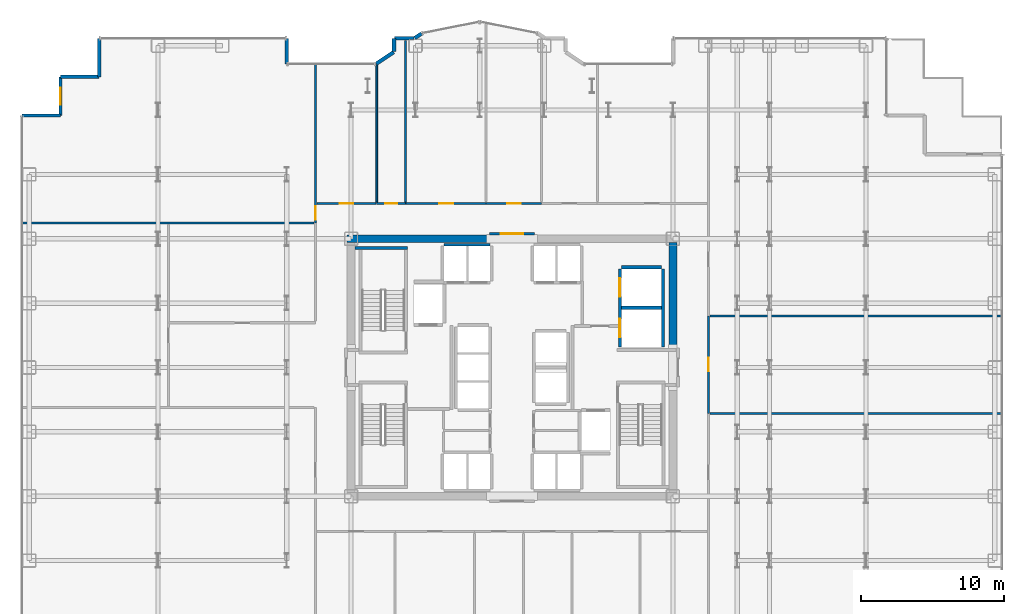
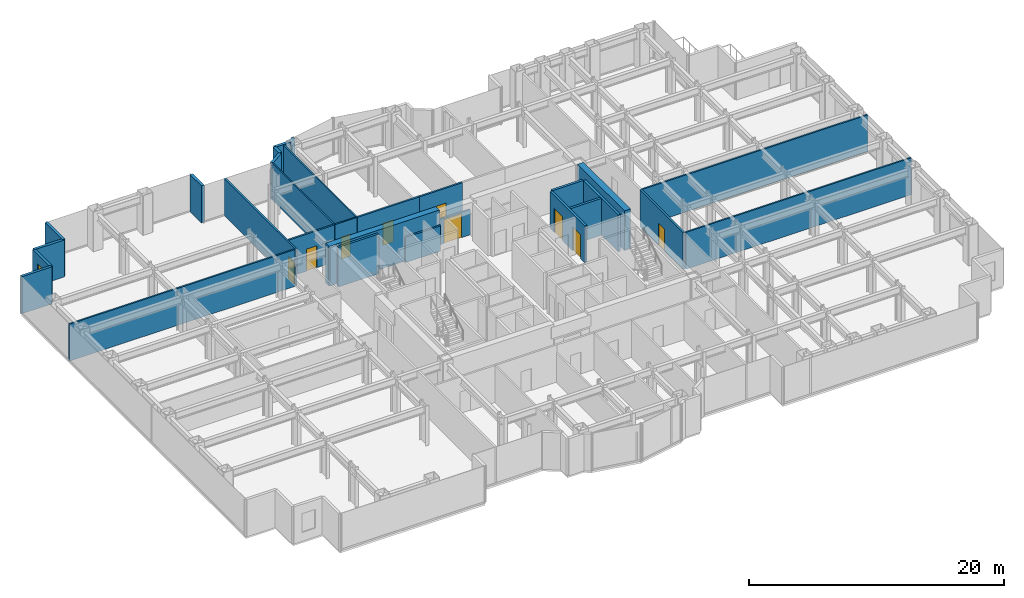
# One storey, part 23 of 26: 29 walls, 9 doors, 1 window, 10 openings.
"""IFC4 building model written with IfcOpenShell, lengths in metres."""

import ifcopenshell
import ifcopenshell.guid

model = None  # the IFC model being written
_history = None  # IfcOwnerHistory: only IFC2X3 demands one
_inside = {}  # id of a spatial element -> (the spatial element, [elements in it])
_under = {}  # id of a project, library or spatial element -> (it, [spatial elements below it])
_declared = {}  # id of a project -> (the project, [libraries it declares])
_typed = {}  # id of a type object -> (the type object, [elements of that type])
_made_of = {}  # id of a material, layer set ... -> (it, [elements and type objects made of it])


def new_model(schema):
    """Start an empty IFC model of exactly this schema.

    Asked for "IFC4X3", IfcOpenShell would pick the latest addendum, in which some entities
    have other attributes; the version numbers below select the first issue.
    IFC2X3 requires an IfcOwnerHistory on every rooted entity: one is made here for all.
    """
    global model, _history
    if schema == "IFC4X3":
        model = ifcopenshell.file(schema_version=(4, 3, 0, 0))
    else:
        model = ifcopenshell.file(schema=schema)
    _inside.clear()
    _under.clear()
    _declared.clear()
    _typed.clear()
    _made_of.clear()
    _history = None
    if model.schema == "IFC2X3":
        org = make("IfcOrganization", Name="unknown")
        user = make(
            "IfcPersonAndOrganization",
            ThePerson=make("IfcPerson", FamilyName="unknown"),
            TheOrganization=org,
        )
        app = make(
            "IfcApplication",
            ApplicationDeveloper=org,
            Version="unknown",
            ApplicationFullName="unknown",
            ApplicationIdentifier="unknown",
        )
        _history = make(
            "IfcOwnerHistory",
            OwningUser=user,
            OwningApplication=app,
            ChangeAction="ADDED",
            CreationDate=0,
        )
    return model


def make(cls, **values):
    """One entity of the class cls with the attributes given. An attribute that is None is left unset."""
    return model.create_entity(
        cls, **{name: value for name, value in values.items() if value is not None}
    )


def rooted(cls, **values):
    """An entity with a GlobalId (a new one), such as an element, a storey or a relation."""
    return make(cls, GlobalId=ifcopenshell.guid.new(), OwnerHistory=_history, **values)


def si_unit(unit_type, name, prefix=None):
    """IfcSIUnit, for example si_unit("LENGTHUNIT", "METRE", prefix="MILLI")."""
    return make("IfcSIUnit", UnitType=unit_type, Prefix=prefix, Name=name)


def assignment(units):
    """IfcUnitAssignment: the units of a project."""
    return None if units is None else make("IfcUnitAssignment", Units=units)


def point(xyz):
    """IfcCartesianPoint."""
    return None if xyz is None else make("IfcCartesianPoint", Coordinates=xyz)


def direction(xyz):
    """IfcDirection."""
    return None if xyz is None else make("IfcDirection", DirectionRatios=xyz)


def frame(location, z_axis=None, x_axis=None):
    """IfcAxis2Placement3D, a coordinate frame: its origin and axes. An axis left out is left unset."""
    return make(
        "IfcAxis2Placement3D",
        Location=point(location),
        Axis=direction(z_axis),
        RefDirection=direction(x_axis),
    )


def frame_2d(location, x_axis=None):
    """IfcAxis2Placement2D, a coordinate frame in the plane: its origin and x axis."""
    return make(
        "IfcAxis2Placement2D", Location=point(location), RefDirection=direction(x_axis)
    )


def origin():
    """The frame at (0, 0, 0) with its axes left unset."""
    return frame((0.0, 0.0, 0.0))


def place(relative_to, where):
    """IfcLocalPlacement: puts the frame where relative to a parent placement (None: the world)."""
    return make(
        "IfcLocalPlacement", PlacementRelTo=relative_to, RelativePlacement=where
    )


def context(
    kind, dimensions, precision=None, world=None, true_north=None, identifier=None
):
    """IfcGeometricRepresentationContext, for example the 3D "Model" context."""
    return make(
        "IfcGeometricRepresentationContext",
        ContextIdentifier=identifier,
        ContextType=kind,
        CoordinateSpaceDimension=dimensions,
        Precision=precision,
        WorldCoordinateSystem=world,
        TrueNorth=true_north,
    )


def subcontext(parent, identifier, kind, view, scale=None):
    """IfcGeometricRepresentationSubContext, for example "Body" below "Model"."""
    return make(
        "IfcGeometricRepresentationSubContext",
        ContextIdentifier=identifier,
        ContextType=kind,
        ParentContext=parent,
        TargetScale=scale,
        TargetView=view,
    )


def project(units=None, contexts=None):
    """IfcProject with its units and contexts."""
    return rooted(
        "IfcProject",
        Name="project",
        RepresentationContexts=contexts,
        UnitsInContext=assignment(units),
    )


def spatial(cls, under=None, at=None, **own):
    """A site, building, storey or space (cls), placed at a placement, below another one or the project."""
    s = rooted(cls, ObjectPlacement=at, **own)
    if under is not None:
        _under.setdefault(under.id(), (under, []))[1].append(s)
    return s


def profile(cls, at=None, kind="AREA", **sizes):
    """A parametric profile (cls). Its sizes go by their IFC names, for example OverallWidth=200.0."""
    return make(cls, ProfileType=kind, Position=at, **sizes)


def rectangle(**sizes):
    """IfcRectangleProfileDef."""
    return profile("IfcRectangleProfileDef", **sizes)


def extrude(swept, where, along, depth):
    """IfcExtrudedAreaSolid: the profile swept, set in the frame where, extruded along a direction by depth."""
    return make(
        "IfcExtrudedAreaSolid",
        SweptArea=swept,
        Position=where,
        ExtrudedDirection=direction(along),
        Depth=depth,
    )


def shape(context_of_items, identifier, shape_type, items):
    """IfcShapeRepresentation: the items that make up one representation, for example the "Body"."""
    return make(
        "IfcShapeRepresentation",
        ContextOfItems=context_of_items,
        RepresentationIdentifier=identifier,
        RepresentationType=shape_type,
        Items=items,
    )


def source(mapping_origin, context_of_items, identifier, shape_type, items):
    """IfcRepresentationMap: a shape defined once, which mapped items show again and again."""
    return make(
        "IfcRepresentationMap",
        MappingOrigin=mapping_origin,
        MappedRepresentation=shape(context_of_items, identifier, shape_type, items),
    )


def transform(
    local_origin,
    x_axis=None,
    y_axis=None,
    z_axis=None,
    scale=None,
    scale2=None,
    scale3=None,
    uniform=True,
):
    """IfcCartesianTransformationOperator3D, or its non-uniform kind. x_axis, y_axis, z_axis: its Axis1, 2, 3."""
    if uniform:
        return make(
            "IfcCartesianTransformationOperator3D",
            Axis1=direction(x_axis),
            Axis2=direction(y_axis),
            LocalOrigin=point(local_origin),
            Scale=scale,
            Axis3=direction(z_axis),
        )
    return make(
        "IfcCartesianTransformationOperator3DnonUniform",
        Axis1=direction(x_axis),
        Axis2=direction(y_axis),
        LocalOrigin=point(local_origin),
        Scale=scale,
        Axis3=direction(z_axis),
        Scale2=scale2,
        Scale3=scale3,
    )


def mapped(mapping_source, mapping_target):
    """IfcMappedItem: shows the shape of a source again, moved by a transform."""
    return make(
        "IfcMappedItem", MappingSource=mapping_source, MappingTarget=mapping_target
    )


def material(Name=None, Category=None):
    """IfcMaterial."""
    return make("IfcMaterial", Name=Name, Category=Category)


def layer(
    of_material, thickness, ventilated=None, Name=None, Category=None, Priority=None
):
    """IfcMaterialLayer: one layer of a wall or slab, of a material (None: an air gap)."""
    return make(
        "IfcMaterialLayer",
        Material=of_material,
        LayerThickness=thickness,
        IsVentilated=ventilated,
        Name=Name,
        Category=Category,
        Priority=Priority,
    )


def layer_set(layers, Name=None):
    """IfcMaterialLayerSet."""
    return make("IfcMaterialLayerSet", MaterialLayers=layers, LayerSetName=Name)


def made_of(thing, what):
    """Note that an element or type object is made of a material, layer set ...; save() writes the relation."""
    if what is not None:
        _made_of.setdefault(what.id(), (what, []))[1].append(thing)
    return thing


def type_object(cls, material=None, **own):
    """A type object (cls), such as IfcWallType, which elements share."""
    return made_of(rooted(cls, **own), material)


def element(
    cls,
    number,
    at=None,
    inside=None,
    cuts=None,
    type_object=None,
    material=None,
    context=None,
    identifier="Body",
    shape_type=None,
    held_by="IfcProductDefinitionShape",
    body=None,
    shapes=None,
    **own,
):
    """One element of the class cls, such as IfcWall. Its Tag is "e" and its number.

    at: its placement. inside: the storey or other place that contains it. cuts: it is an
    opening in that element (IfcRelVoidsElement). A single representation is given by context,
    identifier, shape_type and body (its items); several are given by shapes. held_by: the class
    of the entity that holds the representations. save() writes the other relations.
    """
    e = rooted(cls, Tag="e%d" % number, ObjectPlacement=at, **own)
    if body is not None:
        shapes = [shape(context, identifier, shape_type, body)]
    if shapes is not None:
        e.Representation = make(held_by, Representations=shapes)
    if inside is not None:
        _inside.setdefault(inside.id(), (inside, []))[1].append(e)
    if cuts is not None:
        rooted(
            "IfcRelVoidsElement", RelatingBuildingElement=cuts, RelatedOpeningElement=e
        )
    if type_object is not None:
        _typed.setdefault(type_object.id(), (type_object, []))[1].append(e)
    return made_of(e, material)


def fill(opening, filler):
    """IfcRelFillsElement: the door or window that sits in an opening."""
    return rooted(
        "IfcRelFillsElement",
        RelatingOpeningElement=opening,
        RelatedBuildingElement=filler,
    )


def aggregate(whole, parts):
    """IfcRelAggregates: a whole, such as a stair, and the parts it consists of."""
    return rooted("IfcRelAggregates", RelatingObject=whole, RelatedObjects=parts)


def save(model, path):
    """Write the relations noted so far, then the file.

    IfcRelAggregates (storeys below a building ...), IfcRelContainedInSpatialStructure (elements
    in a storey), IfcRelDefinesByType, IfcRelAssociatesMaterial and IfcRelDeclares: one each for
    every whole, place, type object, material and project.
    """
    for whole, parts in _under.values():
        aggregate(whole, parts)
    for where, things in _inside.values():
        rooted(
            "IfcRelContainedInSpatialStructure",
            RelatedElements=things,
            RelatingStructure=where,
        )
    for kind, things in _typed.values():
        rooted("IfcRelDefinesByType", RelatedObjects=things, RelatingType=kind)
    for what, things in _made_of.values():
        rooted("IfcRelAssociatesMaterial", RelatedObjects=things, RelatingMaterial=what)
    for by, libraries in _declared.values():
        rooted("IfcRelDeclares", RelatingContext=by, RelatedDefinitions=libraries)
    model.write(path)


model = new_model("IFC4")

# Units and contexts
model_context = context("Model", 3, precision=1e-05, world=origin(), true_north=direction((0.0, 1.0)))
body_context = subcontext(model_context, "Body", "Model", "MODEL_VIEW")
ifc_project = project(units=[si_unit("LENGTHUNIT", "METRE"), si_unit("AREAUNIT", "SQUARE_METRE"), si_unit("VOLUMEUNIT", "CUBIC_METRE"), si_unit("PLANEANGLEUNIT", "RADIAN"), si_unit("MASSUNIT", "GRAM", prefix="KILO")], contexts=[model_context])

# Site, building, storey
site_placement = place(None, origin())
site = spatial("IfcSite", under=ifc_project, at=site_placement, CompositionType="ELEMENT")
building_placement = place(site_placement, origin())
building = spatial("IfcBuilding", under=site, at=building_placement, Name="Nefas-Gora Pilgrimage Tower", CompositionType="ELEMENT")
storey_placement = place(building_placement, frame((0.0, 0.0, 106.0)))
storey = spatial("IfcBuildingStorey", under=building, at=storey_placement, Name="L25", CompositionType="ELEMENT", Elevation=106.0)

# Walls
ifc_material_1 = material(Name="Concrete C60/75", Category="concrete")
ifc_layer_1 = layer(ifc_material_1, 0.550048828125)
ifc_layer_set_1 = layer_set([ifc_layer_1], Name="Concrete C60/75")
wall_type_1 = type_object("IfcWallType", Name="SW-CORE-550", PredefinedType="SHEAR", material=ifc_layer_set_1)
shared_shape_1 = source(origin(), body_context, "Body", "SweptSolid", [
    extrude(rectangle(XDim=9.974853515625, YDim=0.550048828125, at=frame_2d((4.9873046875, 0.0))), origin(), (0.0, 0.0, 1.0), 3.800048828125),
])
wall_1_placement = place(storey_placement, frame((-11.52490234375, 9.0, 0.0), z_axis=(0.0, 0.0, 1.0), x_axis=(1.0, 0.0, 0.0)))
element("IfcWall", 1, at=wall_1_placement, inside=storey, type_object=wall_type_1, Name="L25 Core Shear Wall N-West", PredefinedType="SHEAR", context=body_context, shape_type="MappedRepresentation", body=[
    mapped(shared_shape_1, transform((0.0, 0.0, 0.0), x_axis=(1.0, 0.0, 0.0), y_axis=(0.0, 1.0, 0.0), z_axis=(0.0, 0.0, 1.0), scale=1.0)),
])
shared_shape_2 = source(origin(), body_context, "Body", "SweptSolid", [
    extrude(rectangle(XDim=7.375, YDim=0.550048828125, at=frame_2d((3.6875, 0.0))), origin(), (0.0, 0.0, 1.0), 3.800048828125),
])
wall_2_placement = place(storey_placement, frame((11.25, 1.35009765625, 0.0), z_axis=(0.0, 0.0, 1.0), x_axis=(0.0, 1.0, 0.0)))
element("IfcWall", 2, at=wall_2_placement, inside=storey, type_object=wall_type_1, Name="L25 Core Shear Wall E-North", PredefinedType="SHEAR", context=body_context, shape_type="MappedRepresentation", body=[
    mapped(shared_shape_2, transform((0.0, 0.0, 0.0), x_axis=(1.0, 0.0, 0.0), y_axis=(0.0, 1.0, 0.0), z_axis=(0.0, 0.0, 1.0), scale=1.0)),
])
ifc_material_2 = material(Name="Precast concrete C40/50", Category="concrete")
ifc_layer_2 = layer(ifc_material_2, 0.260009765625)
ifc_layer_set_2 = layer_set([ifc_layer_2], Name="Precast concrete C40/50")
wall_type_2 = type_object("IfcWallType", Name="EW-PORTAL-260", PredefinedType="SOLIDWALL", material=ifc_layer_set_2)
shared_shape_3 = source(origin(), body_context, "Body", "SweptSolid", [
    extrude(rectangle(XDim=1.800048828125, YDim=0.260009765625, at=frame_2d((0.89990234375, 0.0))), origin(), (0.0, 0.0, 1.0), 3.550048828125),
])
wall_3_placement = place(storey_placement, frame((-15.75, 21.219970703125, 0.0), z_axis=(0.0, 0.0, 1.0), x_axis=(0.0, 1.0, 0.0)))
element("IfcWall", 3, at=wall_3_placement, inside=storey, type_object=wall_type_2, Name="L25 Lobe Shoulder Precast Spandrel Pier 18", PredefinedType="SOLIDWALL", context=body_context, shape_type="MappedRepresentation", body=[
    mapped(shared_shape_3, transform((0.0, 0.0, 0.0), x_axis=(1.0, 0.0, 0.0), y_axis=(0.0, 1.0, 0.0), z_axis=(0.0, 0.0, 1.0), scale=1.0)),
])
ifc_material_3 = material(Name="Precast concrete C45/55", Category="concrete")
ifc_layer_3 = layer(ifc_material_3, 0.239990234375)
ifc_layer_set_3 = layer_set([ifc_layer_3], Name="Precast concrete C45/55")
wall_type_3 = type_object("IfcWallType", Name="EW-SERR-240", PredefinedType="SHEAR", material=ifc_layer_set_3)
shared_shape_4 = source(origin(), body_context, "Body", "SweptSolid", [
    extrude(rectangle(XDim=2.699951171875, YDim=0.239990234375, at=frame_2d((1.35009765625, 0.0))), origin(), (0.0, 0.0, 1.0), 3.550048828125),
])
for number, where, z_axis, x_axis, name in (
    (4, (-28.8701171875, 23.02001953125, 0.0), (0.0, 0.0, 1.0), (0.0, -1.0, 0.0), "L25 Serrated Corner Shear Pier Wall 19"),
    (5, (-28.8701171875, 20.320068359375, 0.0), (0.0, 0.0, 1.0), (-1.0, 0.0, 0.0), "L25 Serrated Corner Shear Pier Wall 20"),
):
    element("IfcWall", number, at=place(storey_placement, frame(where, z_axis=z_axis, x_axis=x_axis)), inside=storey, type_object=wall_type_3, Name=name, PredefinedType="SHEAR", context=body_context, shape_type="MappedRepresentation", body=[
        mapped(shared_shape_4, transform((0.0, 0.0, 0.0), x_axis=(1.0, 0.0, 0.0), y_axis=(0.0, 1.0, 0.0), z_axis=(0.0, 0.0, 1.0), scale=1.0)),
    ])

# Wall, opening, window
wall_4_placement = place(storey_placement, frame((-31.570068359375, 20.320068359375, 0.0), z_axis=(0.0, 0.0, 1.0), x_axis=(0.0, -1.0, 0.0)))
wall_4 = element("IfcWall", 6, at=wall_4_placement, inside=storey, type_object=wall_type_3, Name="L25 Serrated Corner Shear Pier Wall 21", PredefinedType="SHEAR", context=body_context, shape_type="MappedRepresentation", body=[
    mapped(shared_shape_4, transform((0.0, 0.0, 0.0), x_axis=(1.0, 0.0, 0.0), y_axis=(0.0, 1.0, 0.0), z_axis=(0.0, 0.0, 1.0), scale=1.0)),
])
opening_1_placement = place(wall_4_placement, frame((0.75, 0.0, 0.85009765625)))
opening_1 = element("IfcOpeningElement", 7, at=opening_1_placement, cuts=wall_4, Name="Opening W-V1", PredefinedType="OPENING", context=body_context, shape_type="SweptSolid", body=[
    extrude(rectangle(XDim=1.199951171875, YDim=1.800048828125, at=frame_2d((0.60009765625, 0.89990234375))), frame((0.0, 0.1298828125, 0.0), z_axis=(0.0, -1.0, 0.0), x_axis=(1.0, 0.0, 0.0)), (0.0, 0.0, 1.0), 0.260009765625),
])
ifc_material_4 = material(Name="Dark ceramic-fritted operable aluminium-glass window", Category="aluminium")
window_type = type_object("IfcWindowType", Name="WIN-VENT-1200x1800", PartitioningType="SINGLE_PANEL", PredefinedType="WINDOW", material=ifc_material_4)
shared_shape_5 = source(origin(), body_context, "Body", "SweptSolid", [
    extrude(rectangle(XDim=1.199951171875, YDim=1.800048828125, at=frame_2d((0.60009765625, 0.89990234375))), frame((0.0, 0.030029296875, 0.0), z_axis=(0.0, -1.0, 0.0), x_axis=(1.0, 0.0, 0.0)), (0.0, 0.0, 1.0), 0.06005859375),
])
window_placement = place(opening_1_placement, origin())
window = element("IfcWindow", 8, at=window_placement, inside=storey, type_object=window_type, Name="L25 Operable Parallel-Outswing Window 21", OverallHeight=1.800048828125, OverallWidth=1.199951171875, PartitioningType="SINGLE_PANEL", PredefinedType="WINDOW", context=body_context, shape_type="MappedRepresentation", body=[
    mapped(shared_shape_5, transform((0.0, 0.0, 0.0), x_axis=(1.0, 0.0, 0.0), y_axis=(0.0, 1.0, 0.0), z_axis=(0.0, 0.0, 1.0), scale=1.0)),
])
fill(opening_1, window)

# Walls
wall_5_placement = place(storey_placement, frame((-31.570068359375, 17.6201171875, 0.0), z_axis=(0.0, 0.0, 1.0), x_axis=(-1.0, 0.0, 0.0)))
element("IfcWall", 9, at=wall_5_placement, inside=storey, type_object=wall_type_3, Name="L25 Serrated Corner Shear Pier Wall 22", PredefinedType="SHEAR", context=body_context, shape_type="MappedRepresentation", body=[
    mapped(shared_shape_4, transform((0.0, 0.0, 0.0), x_axis=(1.0, 0.0, 0.0), y_axis=(0.0, 1.0, 0.0), z_axis=(0.0, 0.0, 1.0), scale=1.0)),
])
shared_shape_6 = source(origin(), body_context, "Body", "SweptSolid", [
    extrude(rectangle(XDim=1.468994140625, YDim=0.260009765625, at=frame_2d((0.734375, 0.0))), origin(), (0.0, 0.0, 1.0), 3.550048828125),
])
wall_6_placement = place(storey_placement, frame((-8.273193359375, 22.0517578125, 0.0), z_axis=(0.0, 0.0, 1.0), x_axis=(-0.831461760506, -0.555581983884, 0.0)))
element("IfcWall", 10, at=wall_6_placement, inside=storey, type_object=wall_type_2, Name="L25 Lobe Shoulder Precast Spandrel Pier 17", PredefinedType="SOLIDWALL", context=body_context, shape_type="MappedRepresentation", body=[
    mapped(shared_shape_6, transform((0.0, 0.0, 0.0), x_axis=(1.0, 0.0, 0.0), y_axis=(0.0, 1.0, 0.0), z_axis=(0.0, 0.0, 1.0), scale=1.0)),
])
shared_shape_7 = source(origin(), body_context, "Body", "SweptSolid", [
    extrude(rectangle(XDim=0.896728515625, YDim=0.260009765625, at=frame_2d((0.4482421875, 0.0))), origin(), (0.0, 0.0, 1.0), 3.550048828125),
])
wall_7_placement = place(storey_placement, frame((-8.25, 22.991943359375, 0.0), z_axis=(0.0, 0.0, 1.0), x_axis=(0.0, -1.0, 0.0)))
element("IfcWall", 11, at=wall_7_placement, inside=storey, type_object=wall_type_2, Name="L25 Lobe Shoulder Precast Spandrel Pier 16", PredefinedType="SOLIDWALL", context=body_context, shape_type="MappedRepresentation", body=[
    mapped(shared_shape_7, transform((0.0, 0.0, 0.0), x_axis=(1.0, 0.0, 0.0), y_axis=(0.0, 1.0, 0.0), z_axis=(0.0, 0.0, 1.0), scale=1.0)),
])
shared_shape_8 = source(origin(), body_context, "Body", "SweptSolid", [
    extrude(rectangle(XDim=1.369873046875, YDim=0.260009765625, at=frame_2d((0.68505859375, 0.0))), origin(), (0.0, 0.0, 1.0), 3.550048828125),
])
wall_8_placement = place(storey_placement, frame((-6.85205078125, 23.02001953125, 0.0), z_axis=(0.0, 0.0, 1.0), x_axis=(-1.0, 0.0, 0.0)))
element("IfcWall", 12, at=wall_8_placement, inside=storey, type_object=wall_type_2, Name="L25 Lobe Shoulder Precast Spandrel Pier 15", PredefinedType="SOLIDWALL", context=body_context, shape_type="MappedRepresentation", body=[
    mapped(shared_shape_8, transform((0.0, 0.0, 0.0), x_axis=(1.0, 0.0, 0.0), y_axis=(0.0, 1.0, 0.0), z_axis=(0.0, 0.0, 1.0), scale=1.0)),
])
shared_shape_9 = source(origin(), body_context, "Body", "SweptSolid", [
    extrude(rectangle(XDim=0.5654296875, YDim=0.260009765625, at=frame_2d((0.28271484375, 0.0))), origin(), (0.0, 0.0, 1.0), 3.550048828125),
])
wall_9_placement = place(storey_placement, frame((-6.33056640625, 23.349609375, 0.0), z_axis=(0.0, 0.0, 1.0), x_axis=(-0.831651492666, -0.555297933317, 0.0)))
element("IfcWall", 13, at=wall_9_placement, inside=storey, type_object=wall_type_2, Name="L25 Lobe Shoulder Precast Spandrel Pier 14", PredefinedType="SOLIDWALL", context=body_context, shape_type="MappedRepresentation", body=[
    mapped(shared_shape_9, transform((0.0, 0.0, 0.0), x_axis=(1.0, 0.0, 0.0), y_axis=(0.0, 1.0, 0.0), z_axis=(0.0, 0.0, 1.0), scale=1.0)),
])
ifc_material_5 = material(Name="Concrete C45/55", Category="concrete")
ifc_layer_4 = layer(ifc_material_5, 0.199951171875)
ifc_layer_set_4 = layer_set([ifc_layer_4], Name="Concrete C45/55")
wall_type_4 = type_object("IfcWallType", Name="IW-STAIR-200", PredefinedType="SOLIDWALL", material=ifc_layer_set_4)
shared_shape_10 = source(origin(), body_context, "Body", "SweptSolid", [
    extrude(rectangle(XDim=3.679931640625, YDim=0.199951171875, at=frame_2d((1.83984375, 0.0))), origin(), (0.0, 0.0, 1.0), 3.800048828125),
])
wall_10_placement = place(storey_placement, frame((-7.300048828125, 8.35009765625, 0.0), z_axis=(0.0, 0.0, 1.0), x_axis=(-1.0, 0.0, 0.0)))
element("IfcWall", 14, at=wall_10_placement, inside=storey, type_object=wall_type_4, Name="L25 Stairwell Shear Wall ST-01-far", PredefinedType="SOLIDWALL", context=body_context, shape_type="MappedRepresentation", body=[
    mapped(shared_shape_10, transform((0.0, 0.0, 0.0), x_axis=(1.0, 0.0, 0.0), y_axis=(0.0, 1.0, 0.0), z_axis=(0.0, 0.0, 1.0), scale=1.0)),
])

# Wall, openings, doors
ifc_material_6 = material(Name="Concrete C40/50", Category="concrete")
ifc_layer_5 = layer(ifc_material_6, 0.219970703125)
ifc_layer_set_5 = layer_set([ifc_layer_5], Name="Concrete C40/50")
wall_type_5 = type_object("IfcWallType", Name="IW-SHAFT-220", PredefinedType="SOLIDWALL", material=ifc_layer_set_5)
shared_shape_11 = source(origin(), body_context, "Body", "SweptSolid", [
    extrude(rectangle(XDim=5.449951171875, YDim=0.219970703125, at=frame_2d((2.72509765625, 0.0))), origin(), (0.0, 0.0, 1.0), 3.534912109375),
])
wall_11_placement = place(storey_placement, frame((7.5400390625, 6.89990234375, 0.0), z_axis=(0.0, 0.0, 1.0), x_axis=(0.0, -1.0, 0.0)))
wall_11 = element("IfcWall", 15, at=wall_11_placement, inside=storey, type_object=wall_type_5, Name="L25 Hoistway Wall SL-01-02-W", PredefinedType="SOLIDWALL", context=body_context, shape_type="MappedRepresentation", body=[
    mapped(shared_shape_11, transform((0.0, 0.0, 0.0), x_axis=(1.0, 0.0, 0.0), y_axis=(0.0, 1.0, 0.0), z_axis=(0.0, 0.0, 1.0), scale=1.0)),
])
opening_2_placement = place(wall_11_placement, frame((3.5, 0.0, 0.0)))
opening_2 = element("IfcOpeningElement", 16, at=opening_2_placement, cuts=wall_11, Name="Opening LD-SV", PredefinedType="OPENING", context=body_context, shape_type="SweptSolid", body=[
    extrude(rectangle(XDim=1.300048828125, YDim=2.300048828125, at=frame_2d((0.64990234375, 1.14990234375))), frame((0.0, 0.119873046875, 0.0), z_axis=(0.0, -1.0, 0.0), x_axis=(1.0, 0.0, 0.0)), (0.0, 0.0, 1.0), 0.239990234375),
])
opening_3_placement = place(wall_11_placement, frame((0.64990234375, 0.0, 0.0)))
opening_3 = element("IfcOpeningElement", 17, at=opening_3_placement, cuts=wall_11, Name="Opening LD-SV", PredefinedType="OPENING", context=body_context, shape_type="SweptSolid", body=[
    extrude(rectangle(XDim=1.300048828125, YDim=2.300048828125, at=frame_2d((0.64990234375, 1.14990234375))), frame((0.0, 0.119873046875, 0.0), z_axis=(0.0, -1.0, 0.0), x_axis=(1.0, 0.0, 0.0)), (0.0, 0.0, 1.0), 0.239990234375),
])
ifc_material_7 = material(Name="Heavy goods sliding lift landing door")
door_type_1 = type_object("IfcDoorType", Name="DR-LIFT-SERV-1300", OperationType="SLIDING_TO_RIGHT", PredefinedType="DOOR", material=ifc_material_7)
shared_shape_12 = source(origin(), body_context, "Body", "SweptSolid", [
    extrude(rectangle(XDim=1.300048828125, YDim=2.300048828125, at=frame_2d((0.64990234375, 1.14990234375))), frame((0.0, 0.02490234375, 0.0), z_axis=(0.0, -1.0, 0.0), x_axis=(1.0, 0.0, 0.0)), (0.0, 0.0, 1.0), 0.050048828125),
])
door_1_placement = place(opening_2_placement, origin())
door_1 = element("IfcDoor", 18, at=door_1_placement, inside=storey, type_object=door_type_1, Name="L25 Sliding Lift Landing Door SL-01", OperationType="SLIDING_TO_RIGHT", OverallHeight=2.300048828125, OverallWidth=1.300048828125, PredefinedType="DOOR", context=body_context, shape_type="MappedRepresentation", body=[
    mapped(shared_shape_12, transform((0.0, 0.0, 0.0), x_axis=(1.0, 0.0, 0.0), y_axis=(0.0, 1.0, 0.0), z_axis=(0.0, 0.0, 1.0), scale=1.0)),
])
fill(opening_2, door_1)
door_2_placement = place(opening_3_placement, origin())
door_2 = element("IfcDoor", 19, at=door_2_placement, inside=storey, type_object=door_type_1, Name="L25 Sliding Lift Landing Door SL-02", OperationType="SLIDING_TO_RIGHT", OverallHeight=2.300048828125, OverallWidth=1.300048828125, PredefinedType="DOOR", context=body_context, shape_type="MappedRepresentation", body=[
    mapped(shared_shape_12, transform((0.0, 0.0, 0.0), x_axis=(1.0, 0.0, 0.0), y_axis=(0.0, 1.0, 0.0), z_axis=(0.0, 0.0, 1.0), scale=1.0)),
])
fill(opening_3, door_2)

# Walls
wall_12_placement = place(storey_placement, frame((10.56005859375, 1.449951171875, 0.0), z_axis=(0.0, 0.0, 1.0), x_axis=(0.0, 1.0, 0.0)))
element("IfcWall", 20, at=wall_12_placement, inside=storey, type_object=wall_type_5, Name="L25 Hoistway Wall SL-01-02-E", PredefinedType="SOLIDWALL", context=body_context, shape_type="MappedRepresentation", body=[
    mapped(shared_shape_11, transform((0.0, 0.0, 0.0), x_axis=(1.0, 0.0, 0.0), y_axis=(0.0, 1.0, 0.0), z_axis=(0.0, 0.0, 1.0), scale=1.0)),
])
shared_shape_13 = source(origin(), body_context, "Body", "SweptSolid", [
    extrude(rectangle(XDim=2.780029296875, YDim=0.219970703125, at=frame_2d((1.39013671875, 0.0))), origin(), (0.0, 0.0, 1.0), 3.534912109375),
])
for number, where, z_axis, x_axis, name in (
    (21, (7.659912109375, 4.175048828125, 0.0), (0.0, 0.0, 1.0), (1.0, 0.0, 0.0), "L25 Hoistway Wall SL-01-02-DIV"),
    (22, (10.43994140625, 7.010009765625, 0.0), (0.0, 0.0, 1.0), (-1.0, 0.0, 0.0), "L25 Hoistway Wall SL-02-N"),
):
    element("IfcWall", number, at=place(storey_placement, frame(where, z_axis=z_axis, x_axis=x_axis)), inside=storey, type_object=wall_type_5, Name=name, PredefinedType="SOLIDWALL", context=body_context, shape_type="MappedRepresentation", body=[
        mapped(shared_shape_13, transform((0.0, 0.0, 0.0), x_axis=(1.0, 0.0, 0.0), y_axis=(0.0, 1.0, 0.0), z_axis=(0.0, 0.0, 1.0), scale=1.0)),
    ])
ifc_material_8 = material(Name="Gypsum acoustic stud partition")
ifc_layer_6 = layer(ifc_material_8, 0.159912109375)
ifc_layer_set_6 = layer_set([ifc_layer_6], Name="Gypsum acoustic stud partition")
wall_type_6 = type_object("IfcWallType", Name="IW-CORR-160", PredefinedType="PARTITIONING", material=ifc_layer_set_6)
shared_shape_14 = source(origin(), body_context, "Body", "SweptSolid", [
    extrude(rectangle(XDim=3.199951171875, YDim=0.159912109375, at=frame_2d((1.60009765625, 0.0))), origin(), (0.0, 0.0, 1.0), 2.425048828125),
])
wall_13_placement = place(storey_placement, frame((-1.550048828125, 8.580078125, 0.0), z_axis=(0.0, 0.0, 1.0), x_axis=(-1.0, 0.0, 0.0)))
element("IfcWall", 23, at=wall_13_placement, inside=storey, type_object=wall_type_6, Name="L25 Hoistway Wall PL1-W-N", PredefinedType="PARTITIONING", context=body_context, shape_type="MappedRepresentation", body=[
    mapped(shared_shape_14, transform((0.0, 0.0, 0.0), x_axis=(1.0, 0.0, 0.0), y_axis=(0.0, 1.0, 0.0), z_axis=(0.0, 0.0, 1.0), scale=1.0)),
])

# Wall, opening, door
ifc_material_9 = material(Name="Moisture-resistant fire-rated gypsum partition")
ifc_layer_7 = layer(ifc_material_9, 0.1201171875)
ifc_layer_set_7 = layer_set([ifc_layer_7], Name="Moisture-resistant fire-rated gypsum partition")
wall_type_7 = type_object("IfcWallType", Name="IW-WET-120", PredefinedType="PLUMBINGWALL", material=ifc_layer_set_7)
shared_shape_15 = source(origin(), body_context, "Body", "SweptSolid", [
    extrude(rectangle(XDim=2.02001953125, YDim=0.1201171875, at=frame_2d((1.010009765625, 0.0))), origin(), (0.0, 0.0, 1.0), 3.534912109375),
])
wall_14_placement = place(storey_placement, frame((-9.4599609375, 11.469970703125, 0.0), z_axis=(0.0, 0.0, 1.0), x_axis=(1.0, 0.0, 0.0)))
wall_14 = element("IfcWall", 24, at=wall_14_placement, inside=storey, type_object=wall_type_7, Name="L25 Accessible Unisex WC Partition Wall 25", PredefinedType="PLUMBINGWALL", context=body_context, shape_type="MappedRepresentation", body=[
    mapped(shared_shape_15, transform((0.0, 0.0, 0.0), x_axis=(1.0, 0.0, 0.0), y_axis=(0.0, 1.0, 0.0), z_axis=(0.0, 0.0, 1.0), scale=1.0)),
])
opening_4_placement = place(wall_14_placement, frame((0.5849609375, 0.0, 0.0)))
opening_4 = element("IfcOpeningElement", 25, at=opening_4_placement, cuts=wall_14, Name="Opening ID-BT1", PredefinedType="OPENING", context=body_context, shape_type="SweptSolid", body=[
    extrude(rectangle(XDim=0.85009765625, YDim=2.10009765625, at=frame_2d((0.425048828125, 1.050048828125))), frame((0.0, 0.070068359375, 0.0), z_axis=(0.0, -1.0, 0.0), x_axis=(1.0, 0.0, 0.0)), (0.0, 0.0, 1.0), 0.14013671875),
])
ifc_material_10 = material(Name="Moisture-resistant fire-rated timber door", Category="wood")
door_type_2 = type_object("IfcDoorType", Name="DR-INT-BATH-850", OperationType="NOTDEFINED", PredefinedType="DOOR", material=ifc_material_10)
shared_shape_16 = source(origin(), body_context, "Body", "SweptSolid", [
    extrude(rectangle(XDim=0.85009765625, YDim=2.10009765625, at=frame_2d((0.425048828125, 1.050048828125))), frame((0.0, 0.02490234375, 0.0), z_axis=(0.0, -1.0, 0.0), x_axis=(1.0, 0.0, 0.0)), (0.0, 0.0, 1.0), 0.050048828125),
])
door_3_placement = place(opening_4_placement, origin())
door_3 = element("IfcDoor", 26, at=door_3_placement, inside=storey, type_object=door_type_2, Name="L25 Accessible Unisex WC Door 10", OperationType="SINGLE_SWING_RIGHT", OverallHeight=2.10009765625, OverallWidth=0.85009765625, PredefinedType="DOOR", context=body_context, shape_type="MappedRepresentation", body=[
    mapped(shared_shape_16, transform((0.0, 0.0, 0.0), x_axis=(1.0, 0.0, 0.0), y_axis=(0.0, 1.0, 0.0), z_axis=(0.0, 0.0, 1.0), scale=1.0)),
])
fill(opening_4, door_3)

# Walls
shared_shape_17 = source(origin(), body_context, "Body", "SweptSolid", [
    extrude(rectangle(XDim=11.280029296875, YDim=0.1201171875, at=frame_2d((5.64013671875, 0.0))), origin(), (0.0, 0.0, 1.0), 3.534912109375),
])
wall_15_placement = place(storey_placement, frame((-7.449951171875, 11.570068359375, 0.0), z_axis=(0.0, 0.0, 1.0), x_axis=(0.0, 1.0, 0.0)))
element("IfcWall", 27, at=wall_15_placement, inside=storey, type_object=wall_type_7, Name="L25 Accessible Unisex WC Partition Wall 26", PredefinedType="PLUMBINGWALL", context=body_context, shape_type="MappedRepresentation", body=[
    mapped(shared_shape_17, transform((0.0, 0.0, 0.0), x_axis=(1.0, 0.0, 0.0), y_axis=(0.0, 1.0, 0.0), z_axis=(0.0, 0.0, 1.0), scale=1.0)),
])
shared_shape_18 = source(origin(), body_context, "Body", "SweptSolid", [
    extrude(rectangle(XDim=9.586669921875, YDim=0.1201171875, at=frame_2d((4.79345703125, 0.0))), origin(), (0.0, 0.0, 1.0), 3.534912109375),
])
wall_16_placement = place(storey_placement, frame((-9.449951171875, 11.570068359375, 0.0), z_axis=(0.0, 0.0, 1.0), x_axis=(0.0, 1.0, 0.0)))
element("IfcWall", 28, at=wall_16_placement, inside=storey, type_object=wall_type_7, Name="L25 Accessible Unisex WC Partition Wall 27", PredefinedType="PLUMBINGWALL", context=body_context, shape_type="MappedRepresentation", body=[
    mapped(shared_shape_18, transform((0.0, 0.0, 0.0), x_axis=(1.0, 0.0, 0.0), y_axis=(0.0, 1.0, 0.0), z_axis=(0.0, 0.0, 1.0), scale=1.0)),
])

# Wall, opening, door
shared_shape_19 = source(origin(), body_context, "Body", "SweptSolid", [
    extrude(rectangle(XDim=4.125, YDim=0.159912109375, at=frame_2d((2.0625, 0.0))), origin(), (0.0, 0.0, 1.0), 3.534912109375),
])
wall_17_placement = place(storey_placement, frame((-13.6201171875, 11.469970703125, 0.0), z_axis=(0.0, 0.0, 1.0), x_axis=(1.0, 0.0, 0.0)))
wall_17 = element("IfcWall", 29, at=wall_17_placement, inside=storey, type_object=wall_type_6, Name="L25 Pilgrim Fellowship Seminar Room Partition Wall 40", PredefinedType="PARTITIONING", context=body_context, shape_type="MappedRepresentation", body=[
    mapped(shared_shape_19, transform((0.0, 0.0, 0.0), x_axis=(1.0, 0.0, 0.0), y_axis=(0.0, 1.0, 0.0), z_axis=(0.0, 0.0, 1.0), scale=1.0)),
])
opening_5_placement = place(wall_17_placement, frame((1.58740234375, 0.0, 0.0)))
opening_5 = element("IfcOpeningElement", 30, at=opening_5_placement, cuts=wall_17, Name="Opening ID-GR1", PredefinedType="OPENING", context=body_context, shape_type="SweptSolid", body=[
    extrude(rectangle(XDim=0.949951171875, YDim=2.10009765625, at=frame_2d((0.47509765625, 1.050048828125))), frame((0.0, 0.08984375, 0.0), z_axis=(0.0, -1.0, 0.0), x_axis=(1.0, 0.0, 0.0)), (0.0, 0.0, 1.0), 0.179931640625),
])
ifc_material_11 = material(Name="Solid core oak fire-rated guest entrance door")
door_type_3 = type_object("IfcDoorType", Name="DR-INT-GUEST-950", OperationType="NOTDEFINED", PredefinedType="DOOR", material=ifc_material_11)
shared_shape_20 = source(origin(), body_context, "Body", "SweptSolid", [
    extrude(rectangle(XDim=0.949951171875, YDim=2.10009765625, at=frame_2d((0.47509765625, 1.050048828125))), frame((0.0, 0.02490234375, 0.0), z_axis=(0.0, -1.0, 0.0), x_axis=(1.0, 0.0, 0.0)), (0.0, 0.0, 1.0), 0.050048828125),
])
door_4_placement = place(opening_5_placement, origin())
door_4 = element("IfcDoor", 31, at=door_4_placement, inside=storey, type_object=door_type_3, Name="L25 Pilgrim Fellowship Seminar Room Door 18", OperationType="SINGLE_SWING_RIGHT", OverallHeight=2.10009765625, OverallWidth=0.949951171875, PredefinedType="DOOR", context=body_context, shape_type="MappedRepresentation", body=[
    mapped(shared_shape_20, transform((0.0, 0.0, 0.0), x_axis=(1.0, 0.0, 0.0), y_axis=(0.0, 1.0, 0.0), z_axis=(0.0, 0.0, 1.0), scale=1.0)),
])
fill(opening_5, door_4)

# Walls
ifc_material_12 = material(Name="Gypsum twin-stud partition")
ifc_layer_8 = layer(ifc_material_12, 0.139892578125)
ifc_layer_set_8 = layer_set([ifc_layer_8], Name="Gypsum twin-stud partition")
wall_type_8 = type_object("IfcWallType", Name="IW-UNIT-140", PredefinedType="PARTITIONING", material=ifc_layer_set_8)
shared_shape_21 = source(origin(), body_context, "Body", "SweptSolid", [
    extrude(rectangle(XDim=20.429931640625, YDim=0.139892578125, at=frame_2d((10.21484375, 0.0))), origin(), (0.0, 0.0, 1.0), 3.534912109375),
])
for number, where, z_axis, x_axis, name in (
    (32, (-34.2900390625, 10.097412109375, 0.0), (0.0, 0.0, 1.0), (1.0, 0.0, 0.0), "L25 Pilgrim Floor Concierge Foyer Partition Wall 31"),
    (33, (13.860107421875, -3.205078125, 0.0), (0.0, 0.0, 1.0), (1.0, 0.0, 0.0), "L25 Pilgrim Fellowship Seminar Room Partition Wall 36"),
    (34, (13.860107421875, 3.594970703125, 0.0), (0.0, 0.0, 1.0), (1.0, 0.0, 0.0), "L25 Pilgrim Fellowship Seminar Room Partition Wall 38"),
):
    element("IfcWall", number, at=place(storey_placement, frame(where, z_axis=z_axis, x_axis=x_axis)), inside=storey, type_object=wall_type_8, Name=name, PredefinedType="PARTITIONING", context=body_context, shape_type="MappedRepresentation", body=[
        mapped(shared_shape_21, transform((0.0, 0.0, 0.0), x_axis=(1.0, 0.0, 0.0), y_axis=(0.0, 1.0, 0.0), z_axis=(0.0, 0.0, 1.0), scale=1.0)),
    ])

# Wall, opening, door
shared_shape_22 = source(origin(), body_context, "Body", "SweptSolid", [
    extrude(rectangle(XDim=3.16015625, YDim=0.159912109375, at=frame_2d((1.580078125, 0.0))), origin(), (0.0, 0.0, 1.0), 2.425048828125),
])
wall_18_placement = place(storey_placement, frame((-1.580078125, 9.35009765625, 0.0), z_axis=(0.0, 0.0, 1.0), x_axis=(1.0, 0.0, 0.0)))
wall_18 = element("IfcWall", 35, at=wall_18_placement, inside=storey, type_object=wall_type_6, Name="L25 Central Lift Lobby North Portal Wall 13", PredefinedType="PARTITIONING", context=body_context, shape_type="MappedRepresentation", body=[
    mapped(shared_shape_22, transform((0.0, 0.0, 0.0), x_axis=(1.0, 0.0, 0.0), y_axis=(0.0, 1.0, 0.0), z_axis=(0.0, 0.0, 1.0), scale=1.0)),
])
opening_6_placement = place(wall_18_placement, frame((0.780029296875, 0.0, 0.0)))
opening_6 = element("IfcOpeningElement", 36, at=opening_6_placement, cuts=wall_18, Name="Opening ID-HL1", PredefinedType="OPENING", context=body_context, shape_type="SweptSolid", body=[
    extrude(rectangle(XDim=1.60009765625, YDim=2.300048828125, at=frame_2d((0.800048828125, 1.14990234375))), frame((0.0, 0.08984375, 0.0), z_axis=(0.0, -1.0, 0.0), x_axis=(1.0, 0.0, 0.0)), (0.0, 0.0, 1.0), 0.179931640625),
])
ifc_material_13 = material(Name="Double acoustic timber assembly hall door", Category="wood")
door_type_4 = type_object("IfcDoorType", Name="DR-INT-HALL-1600", OperationType="DOUBLE_DOOR_SINGLE_SWING", PredefinedType="DOOR", material=ifc_material_13)
shared_shape_23 = source(origin(), body_context, "Body", "SweptSolid", [
    extrude(rectangle(XDim=1.60009765625, YDim=2.300048828125, at=frame_2d((0.800048828125, 1.14990234375))), frame((0.0, 0.02490234375, 0.0), z_axis=(0.0, -1.0, 0.0), x_axis=(1.0, 0.0, 0.0)), (0.0, 0.0, 1.0), 0.050048828125),
])
door_5_placement = place(opening_6_placement, origin())
door_5 = element("IfcDoor", 37, at=door_5_placement, inside=storey, type_object=door_type_4, Name="L25 Central Lift Lobby North Portal Door 4", OperationType="DOUBLE_DOOR_SINGLE_SWING", OverallHeight=2.300048828125, OverallWidth=1.60009765625, PredefinedType="DOOR", context=body_context, shape_type="MappedRepresentation", body=[
    mapped(shared_shape_23, transform((0.0, 0.0, 0.0), x_axis=(1.0, 0.0, 0.0), y_axis=(0.0, 1.0, 0.0), z_axis=(0.0, 0.0, 1.0), scale=1.0)),
])
fill(opening_6, door_5)

shared_shape_24 = source(origin(), body_context, "Body", "SweptSolid", [
    extrude(rectangle(XDim=5.610107421875, YDim=0.159912109375, at=frame_2d((2.80517578125, 0.0))), origin(), (0.0, 0.0, 1.0), 3.534912109375),
])
wall_19_placement = place(storey_placement, frame((-7.405029296875, 11.469970703125, 0.0), z_axis=(0.0, 0.0, 1.0), x_axis=(1.0, 0.0, 0.0)))
wall_19 = element("IfcWall", 38, at=wall_19_placement, inside=storey, type_object=wall_type_6, Name="L25 Pilgrim Contemplative Lounge Partition Wall 41", PredefinedType="PARTITIONING", context=body_context, shape_type="MappedRepresentation", body=[
    mapped(shared_shape_24, transform((0.0, 0.0, 0.0), x_axis=(1.0, 0.0, 0.0), y_axis=(0.0, 1.0, 0.0), z_axis=(0.0, 0.0, 1.0), scale=1.0)),
])
opening_7_placement = place(wall_19_placement, frame((2.330078125, 0.0, 0.0)))
opening_7 = element("IfcOpeningElement", 39, at=opening_7_placement, cuts=wall_19, Name="Opening ID-GR1", PredefinedType="OPENING", context=body_context, shape_type="SweptSolid", body=[
    extrude(rectangle(XDim=0.949951171875, YDim=2.10009765625, at=frame_2d((0.47509765625, 1.050048828125))), frame((0.0, 0.08984375, 0.0), z_axis=(0.0, -1.0, 0.0), x_axis=(1.0, 0.0, 0.0)), (0.0, 0.0, 1.0), 0.179931640625),
])
door_6_placement = place(opening_7_placement, origin())
door_6 = element("IfcDoor", 40, at=door_6_placement, inside=storey, type_object=door_type_3, Name="L25 Pilgrim Contemplative Lounge Door 19", OperationType="SINGLE_SWING_LEFT", OverallHeight=2.10009765625, OverallWidth=0.949951171875, PredefinedType="DOOR", context=body_context, shape_type="MappedRepresentation", body=[
    mapped(shared_shape_20, transform((0.0, 0.0, 0.0), x_axis=(1.0, 0.0, 0.0), y_axis=(0.0, 1.0, 0.0), z_axis=(0.0, 0.0, 1.0), scale=1.0)),
])
fill(opening_7, door_6)

shared_shape_25 = source(origin(), body_context, "Body", "SweptSolid", [
    extrude(rectangle(XDim=11.152587890625, YDim=0.159912109375, at=frame_2d((5.576171875, 0.0))), origin(), (0.0, 0.0, 1.0), 3.534912109375),
])
wall_20_placement = place(storey_placement, frame((-13.739990234375, 10.08740234375, 0.0), z_axis=(0.0, 0.0, 1.0), x_axis=(0.0, 1.0, 0.0)))
wall_20 = element("IfcWall", 41, at=wall_20_placement, inside=storey, type_object=wall_type_6, Name="L25 Pilgrim Floor Concierge Foyer Partition Wall 30", PredefinedType="PARTITIONING", context=body_context, shape_type="MappedRepresentation", body=[
    mapped(shared_shape_25, transform((0.0, 0.0, 0.0), x_axis=(1.0, 0.0, 0.0), y_axis=(0.0, 1.0, 0.0), z_axis=(0.0, 0.0, 1.0), scale=1.0)),
])
opening_8_placement = place(wall_20_placement, frame((0.236083984375, 0.0, 0.0)))
opening_8 = element("IfcOpeningElement", 42, at=opening_8_placement, cuts=wall_20, Name="Opening ID-GR1", PredefinedType="OPENING", context=body_context, shape_type="SweptSolid", body=[
    extrude(rectangle(XDim=0.949951171875, YDim=2.10009765625, at=frame_2d((0.47509765625, 1.050048828125))), frame((0.0, 0.08984375, 0.0), z_axis=(0.0, -1.0, 0.0), x_axis=(1.0, 0.0, 0.0)), (0.0, 0.0, 1.0), 0.179931640625),
])
door_7_placement = place(opening_8_placement, origin())
door_7 = element("IfcDoor", 43, at=door_7_placement, inside=storey, type_object=door_type_3, Name="L25 Pilgrim Floor Concierge Foyer Door 12", OperationType="SINGLE_SWING_RIGHT", OverallHeight=2.10009765625, OverallWidth=0.949951171875, PredefinedType="DOOR", context=body_context, shape_type="MappedRepresentation", body=[
    mapped(shared_shape_20, transform((0.0, 0.0, 0.0), x_axis=(1.0, 0.0, 0.0), y_axis=(0.0, 1.0, 0.0), z_axis=(0.0, 0.0, 1.0), scale=1.0)),
])
fill(opening_8, door_7)

shared_shape_26 = source(origin(), body_context, "Body", "SweptSolid", [
    extrude(rectangle(XDim=6.81005859375, YDim=0.159912109375, at=frame_2d((3.405029296875, 0.0))), origin(), (0.0, 0.0, 1.0), 3.534912109375),
])
wall_21_placement = place(storey_placement, frame((13.739990234375, -3.205078125, 0.0), z_axis=(0.0, 0.0, 1.0), x_axis=(0.0, 1.0, 0.0)))
wall_21 = element("IfcWall", 44, at=wall_21_placement, inside=storey, type_object=wall_type_6, Name="L25 Pilgrim Fellowship Seminar Room Partition Wall 37", PredefinedType="PARTITIONING", context=body_context, shape_type="MappedRepresentation", body=[
    mapped(shared_shape_26, transform((0.0, 0.0, 0.0), x_axis=(1.0, 0.0, 0.0), y_axis=(0.0, 1.0, 0.0), z_axis=(0.0, 0.0, 1.0), scale=1.0)),
])
opening_9_placement = place(wall_21_placement, frame((2.929931640625, 0.0, 0.0)))
opening_9 = element("IfcOpeningElement", 45, at=opening_9_placement, cuts=wall_21, Name="Opening ID-GR1", PredefinedType="OPENING", context=body_context, shape_type="SweptSolid", body=[
    extrude(rectangle(XDim=0.949951171875, YDim=2.10009765625, at=frame_2d((0.47509765625, 1.050048828125))), frame((0.0, 0.08984375, 0.0), z_axis=(0.0, -1.0, 0.0), x_axis=(1.0, 0.0, 0.0)), (0.0, 0.0, 1.0), 0.179931640625),
])
door_8_placement = place(opening_9_placement, origin())
door_8 = element("IfcDoor", 46, at=door_8_placement, inside=storey, type_object=door_type_3, Name="L25 Pilgrim Fellowship Seminar Room Door 16", OperationType="SINGLE_SWING_RIGHT", OverallHeight=2.10009765625, OverallWidth=0.949951171875, PredefinedType="DOOR", context=body_context, shape_type="MappedRepresentation", body=[
    mapped(shared_shape_20, transform((0.0, 0.0, 0.0), x_axis=(1.0, 0.0, 0.0), y_axis=(0.0, 1.0, 0.0), z_axis=(0.0, 0.0, 1.0), scale=1.0)),
])
fill(opening_9, door_8)

shared_shape_27 = source(origin(), body_context, "Body", "SweptSolid", [
    extrude(rectangle(XDim=3.88232421875, YDim=0.159912109375, at=frame_2d((1.941162109375, 0.0))), origin(), (0.0, 0.0, 1.0), 3.534912109375),
])
wall_22_placement = place(storey_placement, frame((-1.804931640625, 11.469970703125, 0.0), z_axis=(0.0, 0.0, 1.0), x_axis=(1.0, 0.0, 0.0)))
wall_22 = element("IfcWall", 47, at=wall_22_placement, inside=storey, type_object=wall_type_6, Name="L25 Pilgrim Contemplative Lounge Partition Wall 45", PredefinedType="PARTITIONING", context=body_context, shape_type="MappedRepresentation", body=[
    mapped(shared_shape_27, transform((0.0, 0.0, 0.0), x_axis=(1.0, 0.0, 0.0), y_axis=(0.0, 1.0, 0.0), z_axis=(0.0, 0.0, 1.0), scale=1.0)),
])
opening_10_placement = place(wall_22_placement, frame((1.46630859375, 0.0, 0.0)))
opening_10 = element("IfcOpeningElement", 48, at=opening_10_placement, cuts=wall_22, Name="Opening ID-GR1", PredefinedType="OPENING", context=body_context, shape_type="SweptSolid", body=[
    extrude(rectangle(XDim=0.949951171875, YDim=2.10009765625, at=frame_2d((0.47509765625, 1.050048828125))), frame((0.0, 0.08984375, 0.0), z_axis=(0.0, -1.0, 0.0), x_axis=(1.0, 0.0, 0.0)), (0.0, 0.0, 1.0), 0.179931640625),
])
door_9_placement = place(opening_10_placement, origin())
door_9 = element("IfcDoor", 49, at=door_9_placement, inside=storey, type_object=door_type_3, Name="L25 Pilgrim Contemplative Lounge Door 21", OperationType="SINGLE_SWING_LEFT", OverallHeight=2.10009765625, OverallWidth=0.949951171875, PredefinedType="DOOR", context=body_context, shape_type="MappedRepresentation", body=[
    mapped(shared_shape_20, transform((0.0, 0.0, 0.0), x_axis=(1.0, 0.0, 0.0), y_axis=(0.0, 1.0, 0.0), z_axis=(0.0, 0.0, 1.0), scale=1.0)),
])
fill(opening_10, door_9)

save(model, "model.ifc")
